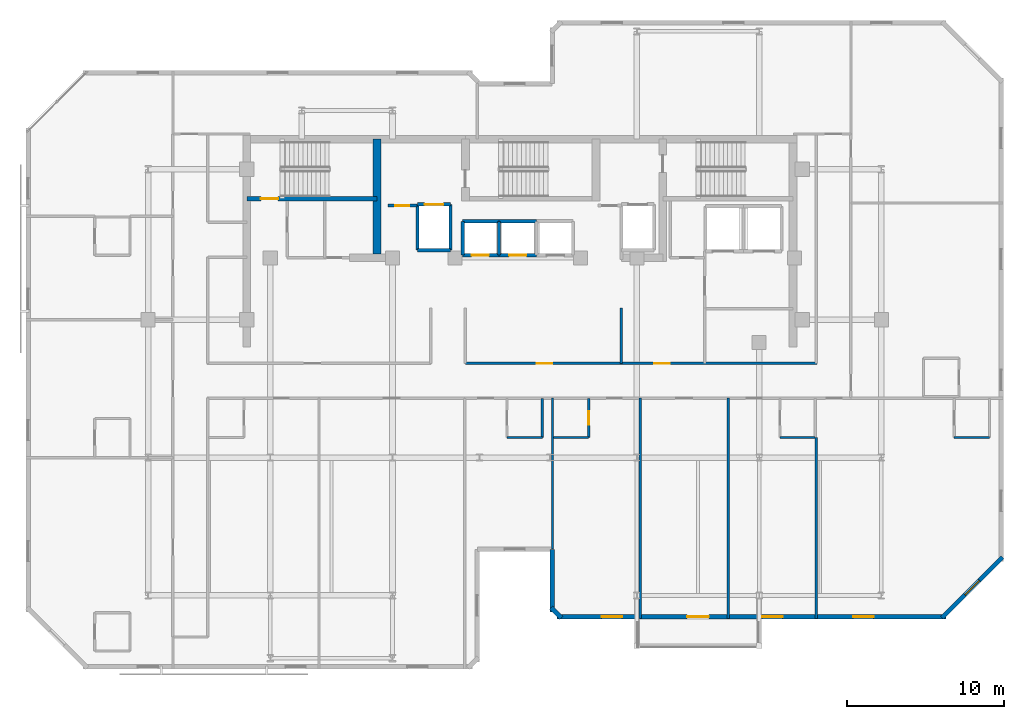
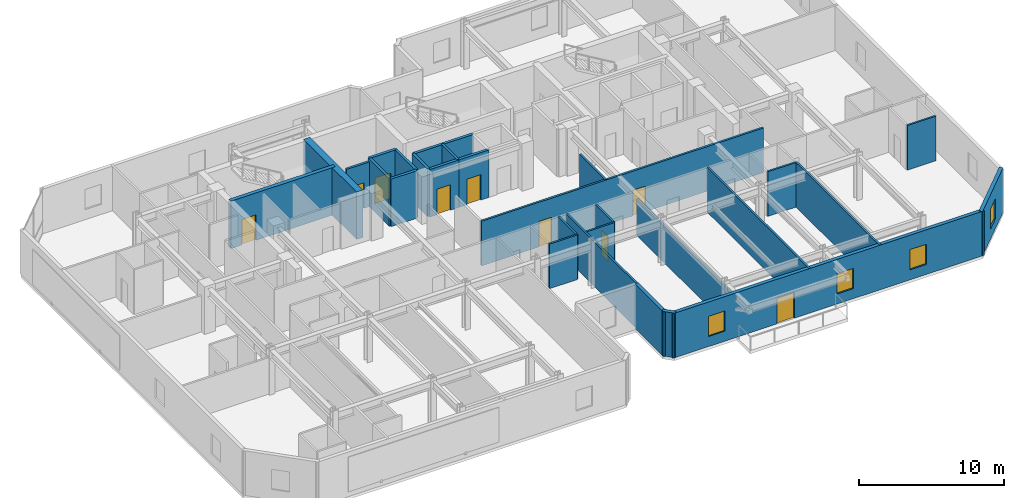
# One storey, part 5 of 10: 29 walls, 9 doors, 4 windows, 13 openings.
"""IFC4 building model written with IfcOpenShell, lengths in metres."""

from ifc_helpers import new_model, si_unit, direction, frame, frame_2d, origin, place, context, subcontext, project, spatial, rectangle, extrude, material, layer, layer_set, type_object, element, fill, save


model = new_model("IFC4")

# Units and contexts
model_context = context("Model", 3, precision=1e-05, world=origin(), true_north=direction((0.0, 1.0)))
body_context = subcontext(model_context, "Body", "Model", "MODEL_VIEW")
ifc_project = project(units=[si_unit("LENGTHUNIT", "METRE"), si_unit("AREAUNIT", "SQUARE_METRE"), si_unit("VOLUMEUNIT", "CUBIC_METRE"), si_unit("PLANEANGLEUNIT", "RADIAN"), si_unit("MASSUNIT", "GRAM", prefix="KILO")], contexts=[model_context])

# Site, building, storey
site_placement = place(None, origin())
site = spatial("IfcSite", under=ifc_project, at=site_placement, CompositionType="ELEMENT")
building_placement = place(site_placement, origin())
building = spatial("IfcBuilding", under=site, at=building_placement, Name="Kestravale Grand Hotel", CompositionType="ELEMENT")
storey_placement = place(building_placement, frame((0.0, 0.0, 285.39990234375)))
storey = spatial("IfcBuildingStorey", under=building, at=storey_placement, Name="L71", CompositionType="ELEMENT", Elevation=285.39990234375)

# Walls
ifc_material_1 = material(Name="Concrete f'c 50 MPa", Category="concrete")
ifc_layer_1 = layer(ifc_material_1, 0.5)
ifc_layer_set_1 = layer_set([ifc_layer_1], Name="EW-CORE-500")
wall_type_1 = type_object("IfcWallType", Name="EW-CORE-500", PredefinedType="SHEAR", material=ifc_layer_set_1)
wall_1_placement = place(storey_placement, frame((30.219970703125, 33.0, 0.0), z_axis=(0.0, 0.0, 1.0), x_axis=(0.0, 1.0, 0.0)))
element("IfcWall", 1, at=wall_1_placement, inside=storey, type_object=wall_type_1, Name="L71 core shear wall X1", PredefinedType="SHEAR", context=body_context, shape_type="SweptSolid", body=[
    extrude(rectangle(XDim=7.320068359375, YDim=0.5, at=frame_2d((3.66015625, 0.0))), origin(), (0.0, 0.0, 1.0), 4.0),
])
ifc_material_2 = material(Name="Precast concrete f'c 45 MPa", Category="concrete")
ifc_layer_2 = layer(ifc_material_2, 0.280029296875)
ifc_layer_set_2 = layer_set([ifc_layer_2], Name="EW-PREC-280")
wall_type_2 = type_object("IfcWallType", Name="EW-PREC-280", PredefinedType="SOLIDWALL", material=ifc_layer_set_2)
wall_2_placement = place(storey_placement, frame((41.389892578125, 14.139892578125, 0.0), z_axis=(0.0, 0.0, 1.0), x_axis=(0.0, -1.0, 0.0)))
element("IfcWall", 2, at=wall_2_placement, inside=storey, type_object=wall_type_2, Name="L71 fluted precast facade wall 5", PredefinedType="SOLIDWALL", context=body_context, shape_type="SweptSolid", body=[
    extrude(rectangle(XDim=3.97998046875, YDim=0.280029296875, at=frame_2d((1.989990234375, 0.0))), origin(), (0.0, 0.0, 1.0), 3.760009765625),
])
wall_3_placement = place(storey_placement, frame((41.32080078125, 10.42724609375, 0.0), z_axis=(0.0, 0.0, 1.0), x_axis=(0.707106781187, -0.707106781187, 0.0)))
element("IfcWall", 3, at=wall_3_placement, inside=storey, type_object=wall_type_2, Name="L71 fluted precast facade wall 6", PredefinedType="SOLIDWALL", context=body_context, shape_type="SweptSolid", body=[
    extrude(rectangle(XDim=0.928466796875, YDim=0.280029296875, at=frame_2d((0.46435546875, 0.0))), origin(), (0.0, 0.0, 1.0), 3.760009765625),
])

# Wall, openings, door, windows
wall_4_placement = place(storey_placement, frame((41.7099609375, 9.840087890625, 0.0), z_axis=(0.0, 0.0, 1.0), x_axis=(1.0, 0.0, 0.0)))
wall_4 = element("IfcWall", 4, at=wall_4_placement, inside=storey, type_object=wall_type_2, Name="L71 fluted precast facade wall 7", PredefinedType="SOLIDWALL", context=body_context, shape_type="SweptSolid", body=[
    extrude(rectangle(XDim=24.830078125, YDim=0.280029296875, at=frame_2d((12.4150390625, 0.0))), origin(), (0.0, 0.0, 1.0), 3.760009765625),
])
opening_1_placement = place(wall_4_placement, frame((8.2900390625, 0.0, 0.0)))
opening_1 = element("IfcOpeningElement", 5, at=opening_1_placement, cuts=wall_4, Name="Opening D-TERR-1400", PredefinedType="OPENING", context=body_context, shape_type="SweptSolid", body=[
    extrude(rectangle(XDim=1.39990234375, YDim=2.14990234375, at=frame_2d((0.699951171875, 1.074951171875))), frame((0.0, 0.14990234375, 0.0), z_axis=(0.0, -1.0, 0.0), x_axis=(1.0, 0.0, 0.0)), (0.0, 0.0, 1.0), 0.300048828125),
])
opening_2_placement = place(wall_4_placement, frame((2.83837890625, 0.0, 0.85009765625)))
opening_2 = element("IfcOpeningElement", 6, at=opening_2_placement, cuts=wall_4, Name="Opening W-GUEST-1300", PredefinedType="OPENING", context=body_context, shape_type="SweptSolid", body=[
    extrude(rectangle(XDim=1.300048828125, YDim=1.699951171875, at=frame_2d((0.64990234375, 0.85009765625))), frame((0.0, 0.14990234375, 0.0), z_axis=(0.0, -1.0, 0.0), x_axis=(1.0, 0.0, 0.0)), (0.0, 0.0, 1.0), 0.300048828125),
])
opening_3_placement = place(wall_4_placement, frame((18.8916015625, 0.0, 0.85009765625)))
opening_3 = element("IfcOpeningElement", 7, at=opening_3_placement, cuts=wall_4, Name="Opening W-GUEST-1300", PredefinedType="OPENING", context=body_context, shape_type="SweptSolid", body=[
    extrude(rectangle(XDim=1.300048828125, YDim=1.699951171875, at=frame_2d((0.64990234375, 0.85009765625))), frame((0.0, 0.14990234375, 0.0), z_axis=(0.0, -1.0, 0.0), x_axis=(1.0, 0.0, 0.0)), (0.0, 0.0, 1.0), 0.300048828125),
])
opening_4_placement = place(wall_4_placement, frame((13.0849609375, 0.0, 0.85009765625)))
opening_4 = element("IfcOpeningElement", 8, at=opening_4_placement, cuts=wall_4, Name="Opening W-GUEST-1300", PredefinedType="OPENING", context=body_context, shape_type="SweptSolid", body=[
    extrude(rectangle(XDim=1.300048828125, YDim=1.699951171875, at=frame_2d((0.64990234375, 0.85009765625))), frame((0.0, 0.14990234375, 0.0), z_axis=(0.0, -1.0, 0.0), x_axis=(1.0, 0.0, 0.0)), (0.0, 0.0, 1.0), 0.300048828125),
])
ifc_material_3 = material(Name="Insulated glazed champagne-bronze aluminium door", Category="aluminium")
door_type_1 = type_object("IfcDoorType", Name="D-TERR-1400", OperationType="NOTDEFINED", PredefinedType="DOOR", material=ifc_material_3)
door_1_placement = place(opening_1_placement, origin())
door_1 = element("IfcDoor", 9, at=door_1_placement, inside=storey, type_object=door_type_1, Name="L71 outdoor garden terrace door", OperationType="DOUBLE_DOOR_SINGLE_SWING", OverallHeight=2.14990234375, OverallWidth=1.39990234375, PredefinedType="DOOR", context=body_context, shape_type="SweptSolid", body=[
    extrude(rectangle(XDim=1.39990234375, YDim=2.14990234375, at=frame_2d((0.699951171875, 1.074951171875))), frame((0.0, 0.02490234375, 0.0), z_axis=(0.0, -1.0, 0.0), x_axis=(1.0, 0.0, 0.0)), (0.0, 0.0, 1.0), 0.050048828125),
])
fill(opening_1, door_1)
ifc_material_4 = material(Name="Insulated low-E double glazing in aluminium frame", Category="aluminium")
window_type = type_object("IfcWindowType", Name="W-GUEST-1300", PartitioningType="SINGLE_PANEL", PredefinedType="WINDOW", material=ifc_material_4)
window_1_placement = place(opening_2_placement, origin())
window_1 = element("IfcWindow", 10, at=window_1_placement, inside=storey, type_object=window_type, Name="L71 exterior window 7.1", OverallHeight=1.699951171875, OverallWidth=1.300048828125, PartitioningType="SINGLE_PANEL", PredefinedType="WINDOW", context=body_context, shape_type="SweptSolid", body=[
    extrude(rectangle(XDim=1.300048828125, YDim=1.699951171875, at=frame_2d((0.64990234375, 0.85009765625))), frame((0.0, 0.030029296875, 0.0), z_axis=(0.0, -1.0, 0.0), x_axis=(1.0, 0.0, 0.0)), (0.0, 0.0, 1.0), 0.06005859375),
])
fill(opening_2, window_1)
window_2_placement = place(opening_3_placement, origin())
window_2 = element("IfcWindow", 11, at=window_2_placement, inside=storey, type_object=window_type, Name="L71 exterior window 7.2", OverallHeight=1.699951171875, OverallWidth=1.300048828125, PartitioningType="SINGLE_PANEL", PredefinedType="WINDOW", context=body_context, shape_type="SweptSolid", body=[
    extrude(rectangle(XDim=1.300048828125, YDim=1.699951171875, at=frame_2d((0.64990234375, 0.85009765625))), frame((0.0, 0.030029296875, 0.0), z_axis=(0.0, -1.0, 0.0), x_axis=(1.0, 0.0, 0.0)), (0.0, 0.0, 1.0), 0.06005859375),
])
fill(opening_3, window_2)
window_3_placement = place(opening_4_placement, origin())
window_3 = element("IfcWindow", 12, at=window_3_placement, inside=storey, type_object=window_type, Name="L71 guestroom envelope window 1", OverallHeight=1.699951171875, OverallWidth=1.300048828125, PartitioningType="SINGLE_PANEL", PredefinedType="WINDOW", context=body_context, shape_type="SweptSolid", body=[
    extrude(rectangle(XDim=1.300048828125, YDim=1.699951171875, at=frame_2d((0.64990234375, 0.85009765625))), frame((0.0, 0.030029296875, 0.0), z_axis=(0.0, -1.0, 0.0), x_axis=(1.0, 0.0, 0.0)), (0.0, 0.0, 1.0), 0.06005859375),
])
fill(opening_4, window_3)

# Wall, opening, window
wall_5_placement = place(storey_placement, frame((66.272705078125, 9.770751953125, 0.0), z_axis=(0.0, 0.0, 1.0), x_axis=(0.707129162587, 0.707084399077, 0.0)))
wall_5 = element("IfcWall", 13, at=wall_5_placement, inside=storey, type_object=wall_type_2, Name="L71 fluted precast facade wall 8", PredefinedType="SOLIDWALL", context=body_context, shape_type="SweptSolid", body=[
    extrude(rectangle(XDim=5.4541015625, YDim=0.280029296875, at=frame_2d((2.72705078125, 0.0))), origin(), (0.0, 0.0, 1.0), 3.760009765625),
])
opening_5_placement = place(wall_5_placement, frame((2.076904296875, 0.0, 0.85009765625)))
opening_5 = element("IfcOpeningElement", 14, at=opening_5_placement, cuts=wall_5, Name="Opening W-GUEST-1300", PredefinedType="OPENING", context=body_context, shape_type="SweptSolid", body=[
    extrude(rectangle(XDim=1.300048828125, YDim=1.699951171875, at=frame_2d((0.64990234375, 0.85009765625))), frame((0.0, 0.14990234375, 0.0), z_axis=(0.0, -1.0, 0.0), x_axis=(1.0, 0.0, 0.0)), (0.0, 0.0, 1.0), 0.300048828125),
])
window_4_placement = place(opening_5_placement, origin())
window_4 = element("IfcWindow", 15, at=window_4_placement, inside=storey, type_object=window_type, Name="L71 exterior window 8.1", OverallHeight=1.699951171875, OverallWidth=1.300048828125, PartitioningType="SINGLE_PANEL", PredefinedType="WINDOW", context=body_context, shape_type="SweptSolid", body=[
    extrude(rectangle(XDim=1.300048828125, YDim=1.699951171875, at=frame_2d((0.64990234375, 0.85009765625))), frame((0.0, 0.030029296875, 0.0), z_axis=(0.0, -1.0, 0.0), x_axis=(1.0, 0.0, 0.0)), (0.0, 0.0, 1.0), 0.06005859375),
])
fill(opening_5, window_4)

# Wall, opening, door
ifc_material_5 = material(Name="Concrete f'c 45 MPa", Category="concrete")
ifc_layer_3 = layer(ifc_material_5, 0.300048828125)
ifc_layer_set_3 = layer_set([ifc_layer_3], Name="EW-STAIR-300")
wall_type_3 = type_object("IfcWallType", Name="EW-STAIR-300", PredefinedType="SHEAR", material=ifc_layer_set_3)
wall_6_placement = place(storey_placement, frame((21.89990234375, 36.52001953125, 0.0), z_axis=(0.0, 0.0, 1.0), x_axis=(1.0, 0.0, 0.0)))
wall_6 = element("IfcWall", 16, at=wall_6_placement, inside=storey, type_object=wall_type_3, Name="L71 stair enclosure shear wall SST1", PredefinedType="SHEAR", context=body_context, shape_type="SweptSolid", body=[
    extrude(rectangle(XDim=8.320068359375, YDim=0.300048828125, at=frame_2d((4.16015625, 0.0))), origin(), (0.0, 0.0, 1.0), 4.0),
])
opening_6_placement = place(wall_6_placement, frame((0.89990234375, 0.0, 0.0)))
opening_6 = element("IfcOpeningElement", 17, at=opening_6_placement, cuts=wall_6, Name="Opening D-ST-1100", PredefinedType="OPENING", context=body_context, shape_type="SweptSolid", body=[
    extrude(rectangle(XDim=1.10009765625, YDim=2.14990234375, at=frame_2d((0.550048828125, 1.074951171875))), frame((0.0, 0.159912109375, 0.0), z_axis=(0.0, -1.0, 0.0), x_axis=(1.0, 0.0, 0.0)), (0.0, 0.0, 1.0), 0.320068359375),
])
ifc_material_6 = material(Name="Galvanised 90-minute fire-rated steel stair door", Category="steel")
door_type_2 = type_object("IfcDoorType", Name="D-ST-1100", OperationType="NOTDEFINED", PredefinedType="DOOR", material=ifc_material_6)
door_2_placement = place(opening_6_placement, origin())
door_2 = element("IfcDoor", 18, at=door_2_placement, inside=storey, type_object=door_type_2, Name="L71 Stair ST-1 fire door", OperationType="SINGLE_SWING_RIGHT", OverallHeight=2.14990234375, OverallWidth=1.10009765625, PredefinedType="DOOR", context=body_context, shape_type="SweptSolid", body=[
    extrude(rectangle(XDim=1.10009765625, YDim=2.14990234375, at=frame_2d((0.550048828125, 1.074951171875))), frame((0.0, 0.02490234375, 0.0), z_axis=(0.0, -1.0, 0.0), x_axis=(1.0, 0.0, 0.0)), (0.0, 0.0, 1.0), 0.050048828125),
])
fill(opening_6, door_2)

# Wall, openings, doors
ifc_material_7 = material(Name="Acoustic fire-rated gypsum board partition", Category="other")
ifc_layer_4 = layer(ifc_material_7, 0.159912109375)
ifc_layer_set_4 = layer_set([ifc_layer_4], Name="IW-CORR-160")
wall_type_4 = type_object("IfcWallType", Name="IW-CORR-160", PredefinedType="PARTITIONING", material=ifc_layer_set_4)
wall_7_placement = place(storey_placement, frame((35.85009765625, 26.010009765625, 0.0), z_axis=(0.0, 0.0, 1.0), x_axis=(1.0, 0.0, 0.0)))
wall_7 = element("IfcWall", 19, at=wall_7_placement, inside=storey, type_object=wall_type_4, Name="W-L71-CE-N", PredefinedType="PARTITIONING", context=body_context, shape_type="SweptSolid", body=[
    extrude(rectangle(XDim=22.449951171875, YDim=0.159912109375, at=frame_2d((11.22509765625, 0.0))), origin(), (0.0, 0.0, 1.0), 3.760009765625),
])
opening_7_placement = place(wall_7_placement, frame((4.550048828125, 0.0, 0.0)))
opening_7 = element("IfcOpeningElement", 20, at=opening_7_placement, cuts=wall_7, Name="Opening D-GUEST-1000", PredefinedType="OPENING", context=body_context, shape_type="SweptSolid", body=[
    extrude(rectangle(XDim=1.0, YDim=2.14990234375, at=frame_2d((0.5, 1.074951171875))), frame((0.0, 0.08984375, 0.0), z_axis=(0.0, -1.0, 0.0), x_axis=(1.0, 0.0, 0.0)), (0.0, 0.0, 1.0), 0.179931640625),
])
opening_8_placement = place(wall_7_placement, frame((12.050048828125, 0.0, 0.0)))
opening_8 = element("IfcOpeningElement", 21, at=opening_8_placement, cuts=wall_7, Name="Opening D-GUEST-1000", PredefinedType="OPENING", context=body_context, shape_type="SweptSolid", body=[
    extrude(rectangle(XDim=1.0, YDim=2.14990234375, at=frame_2d((0.5, 1.074951171875))), frame((0.0, 0.08984375, 0.0), z_axis=(0.0, -1.0, 0.0), x_axis=(1.0, 0.0, 0.0)), (0.0, 0.0, 1.0), 0.179931640625),
])
ifc_material_8 = material(Name="Accessible walnut veneer hotel entrance fire door", Category="wood")
door_type_3 = type_object("IfcDoorType", Name="D-GUEST-1000", OperationType="NOTDEFINED", PredefinedType="DOOR", material=ifc_material_8)
door_3_placement = place(opening_7_placement, origin())
door_3 = element("IfcDoor", 22, at=door_3_placement, inside=storey, type_object=door_type_3, Name="D-L71-RECL-E1", OperationType="SINGLE_SWING_RIGHT", OverallHeight=2.14990234375, OverallWidth=1.0, PredefinedType="DOOR", context=body_context, shape_type="SweptSolid", body=[
    extrude(rectangle(XDim=1.0, YDim=2.14990234375, at=frame_2d((0.5, 1.074951171875))), frame((0.0, 0.02490234375, 0.0), z_axis=(0.0, -1.0, 0.0), x_axis=(1.0, 0.0, 0.0)), (0.0, 0.0, 1.0), 0.050048828125),
])
fill(opening_7, door_3)
door_4_placement = place(opening_8_placement, origin())
door_4 = element("IfcDoor", 23, at=door_4_placement, inside=storey, type_object=door_type_3, Name="D-L71-RECL-E2", OperationType="SINGLE_SWING_LEFT", OverallHeight=2.14990234375, OverallWidth=1.0, PredefinedType="DOOR", context=body_context, shape_type="SweptSolid", body=[
    extrude(rectangle(XDim=1.0, YDim=2.14990234375, at=frame_2d((0.5, 1.074951171875))), frame((0.0, 0.02490234375, 0.0), z_axis=(0.0, -1.0, 0.0), x_axis=(1.0, 0.0, 0.0)), (0.0, 0.0, 1.0), 0.050048828125),
])
fill(opening_8, door_4)

# Wall, opening, door
ifc_material_9 = material(Name="Fire-rated gypsum board on steel studs with mineral wool", Category="steel")
ifc_layer_5 = layer(ifc_material_9, 0.179931640625)
ifc_layer_set_5 = layer_set([ifc_layer_5], Name="IW-FSAE-180")
wall_type_5 = type_object("IfcWallType", Name="IW-FSAE-180", PredefinedType="PARTITIONING", material=ifc_layer_set_5)
wall_8_placement = place(storey_placement, frame((30.89990234375, 36.080078125, 0.0), z_axis=(0.0, 0.0, 1.0), x_axis=(1.0, 0.0, 0.0)))
wall_8 = element("IfcWall", 24, at=wall_8_placement, inside=storey, type_object=wall_type_5, Name="L71 FSAE Lobby 1 smoke barrier", PredefinedType="PARTITIONING", context=body_context, shape_type="SweptSolid", body=[
    extrude(rectangle(XDim=1.85009765625, YDim=0.179931640625, at=frame_2d((0.925048828125, 0.0))), origin(), (0.0, 0.0, 1.0), 3.760009765625),
])
opening_9_placement = place(wall_8_placement, frame((0.47998046875, 0.0, 0.0)))
opening_9 = element("IfcOpeningElement", 25, at=opening_9_placement, cuts=wall_8, Name="Opening D-FSAE-1000", PredefinedType="OPENING", context=body_context, shape_type="SweptSolid", body=[
    extrude(rectangle(XDim=0.89990234375, YDim=2.14990234375, at=frame_2d((0.449951171875, 1.074951171875))), frame((0.0, 0.099853515625, 0.0), z_axis=(0.0, -1.0, 0.0), x_axis=(1.0, 0.0, 0.0)), (0.0, 0.0, 1.0), 0.199951171875),
])
ifc_material_10 = material(Name="Smoke-gasketed FSAE lobby fire door", Category="steel")
door_type_4 = type_object("IfcDoorType", Name="D-FSAE-1000", OperationType="NOTDEFINED", PredefinedType="DOOR", material=ifc_material_10)
door_5_placement = place(opening_9_placement, origin())
door_5 = element("IfcDoor", 26, at=door_5_placement, inside=storey, type_object=door_type_4, Name="L71 FSAE Lobby 1 fire door", OperationType="SINGLE_SWING_RIGHT", OverallHeight=2.14990234375, OverallWidth=0.89990234375, PredefinedType="DOOR", context=body_context, shape_type="SweptSolid", body=[
    extrude(rectangle(XDim=0.89990234375, YDim=2.14990234375, at=frame_2d((0.449951171875, 1.074951171875))), frame((0.0, 0.02490234375, 0.0), z_axis=(0.0, -1.0, 0.0), x_axis=(1.0, 0.0, 0.0)), (0.0, 0.0, 1.0), 0.050048828125),
])
fill(opening_9, door_5)

# Walls
ifc_material_11 = material(Name="Moisture-resistant tile-backer plumbing chase wall", Category="other")
ifc_layer_6 = layer(ifc_material_11, 0.139892578125)
ifc_layer_set_6 = layer_set([ifc_layer_6], Name="IW-PLB-140")
wall_type_6 = type_object("IfcWallType", Name="IW-PLB-140", PredefinedType="PLUMBINGWALL", material=ifc_layer_set_6)
wall_9_placement = place(storey_placement, frame((40.760009765625, 21.280029296875, 0.0), z_axis=(0.0, 0.0, 1.0), x_axis=(0.0, 1.0, 0.0)))
element("IfcWall", 27, at=wall_9_placement, inside=storey, type_object=wall_type_6, Name="W-L71-U02-BE", PredefinedType="PLUMBINGWALL", context=body_context, shape_type="SweptSolid", body=[
    extrude(rectangle(XDim=2.489990234375, YDim=0.139892578125, at=frame_2d((1.2451171875, 0.0))), origin(), (0.0, 0.0, 1.0), 3.760009765625),
])
wall_10_placement = place(storey_placement, frame((38.510009765625, 21.280029296875, 0.0), z_axis=(0.0, 0.0, 1.0), x_axis=(1.0, 0.0, 0.0)))
element("IfcWall", 28, at=wall_10_placement, inside=storey, type_object=wall_type_6, Name="W-L71-U02-BS", PredefinedType="PLUMBINGWALL", context=body_context, shape_type="SweptSolid", body=[
    extrude(rectangle(XDim=2.25, YDim=0.139892578125, at=frame_2d((1.125, 0.0))), origin(), (0.0, 0.0, 1.0), 3.760009765625),
])

# Wall, opening, door
wall_11_placement = place(storey_placement, frame((43.719970703125, 21.280029296875, 0.0), z_axis=(0.0, 0.0, 1.0), x_axis=(0.0, 1.0, 0.0)))
wall_11 = element("IfcWall", 29, at=wall_11_placement, inside=storey, type_object=wall_type_6, Name="W-L71-U03-BE", PredefinedType="PLUMBINGWALL", context=body_context, shape_type="SweptSolid", body=[
    extrude(rectangle(XDim=2.489990234375, YDim=0.139892578125, at=frame_2d((1.2451171875, 0.0))), origin(), (0.0, 0.0, 1.0), 3.760009765625),
])
opening_10_placement = place(wall_11_placement, frame((0.804931640625, 0.0, 0.0)))
opening_10 = element("IfcOpeningElement", 30, at=opening_10_placement, cuts=wall_11, Name="Opening D-BATH-880", PredefinedType="OPENING", context=body_context, shape_type="SweptSolid", body=[
    extrude(rectangle(XDim=0.8798828125, YDim=2.050048828125, at=frame_2d((0.43994140625, 1.02490234375))), frame((0.0, 0.079833984375, 0.0), z_axis=(0.0, -1.0, 0.0), x_axis=(1.0, 0.0, 0.0)), (0.0, 0.0, 1.0), 0.159912109375),
])
ifc_material_12 = material(Name="Moisture-sealed walnut en-suite bathroom door", Category="wood")
door_type_5 = type_object("IfcDoorType", Name="D-BATH-880", OperationType="NOTDEFINED", PredefinedType="DOOR", material=ifc_material_12)
door_6_placement = place(opening_10_placement, origin())
door_6 = element("IfcDoor", 31, at=door_6_placement, inside=storey, type_object=door_type_5, Name="D-L71-U03-BATH", OperationType="SINGLE_SWING_LEFT", OverallHeight=2.050048828125, OverallWidth=0.8798828125, PredefinedType="DOOR", context=body_context, shape_type="SweptSolid", body=[
    extrude(rectangle(XDim=0.8798828125, YDim=2.050048828125, at=frame_2d((0.43994140625, 1.02490234375))), frame((0.0, 0.02490234375, 0.0), z_axis=(0.0, -1.0, 0.0), x_axis=(1.0, 0.0, 0.0)), (0.0, 0.0, 1.0), 0.050048828125),
])
fill(opening_10, door_6)

# Walls
for number, where, z_axis, x_axis, name in (
    (32, (41.469970703125, 21.280029296875, 0.0), (0.0, 0.0, 1.0), (1.0, 0.0, 0.0), "W-L71-U03-BS"),
    (33, (55.929931640625, 21.280029296875, 0.0), (0.0, 0.0, 1.0), (1.0, 0.0, 0.0), "W-L71-U04-BS"),
    (34, (67.050048828125, 21.280029296875, 0.0), (0.0, 0.0, 1.0), (1.0, 0.0, 0.0), "W-L71-U08-BS"),
):
    element("IfcWall", number, at=place(storey_placement, frame(where, z_axis=z_axis, x_axis=x_axis)), inside=storey, type_object=wall_type_6, Name=name, PredefinedType="PLUMBINGWALL", context=body_context, shape_type="SweptSolid", body=[
        extrude(rectangle(XDim=2.25, YDim=0.139892578125, at=frame_2d((1.125, 0.0))), origin(), (0.0, 0.0, 1.0), 3.760009765625),
    ])
ifc_material_13 = material(Name="Concrete f'c 45 MPa", Category="concrete")
ifc_layer_7 = layer(ifc_material_13, 0.199951171875)
ifc_layer_set_7 = layer_set([ifc_layer_7], Name="IW-SHAFT-200")
wall_type_7 = type_object("IfcWallType", Name="IW-SHAFT-200", PredefinedType="SHEAR", material=ifc_layer_set_7)
for number, where, z_axis, x_axis, name in (
    (35, (35.679931640625, 32.919921875, 0.0), (0.0, 0.0, 1.0), (0.0, 1.0, 0.0), "L71 PL-X1 west shaft wall"),
    (36, (38.0, 32.919921875, 0.0), (0.0, 0.0, 1.0), (0.0, 1.0, 0.0), "L71 PL-X2 west shaft wall"),
):
    element("IfcWall", number, at=place(storey_placement, frame(where, z_axis=z_axis, x_axis=x_axis)), inside=storey, type_object=wall_type_7, Name=name, PredefinedType="SHEAR", context=body_context, shape_type="SweptSolid", body=[
        extrude(rectangle(XDim=2.16015625, YDim=0.199951171875, at=frame_2d((1.080078125, 0.0))), origin(), (0.0, 0.0, 1.0), 4.0),
    ])
for number, where, z_axis, x_axis, name in (
    (37, (32.804931640625, 33.2451171875, 0.0), (0.0, 0.0, 1.0), (0.0, 1.0, 0.0), "L71 FL-1 west shaft wall"),
    (38, (34.89501953125, 33.2451171875, 0.0), (0.0, 0.0, 1.0), (0.0, 1.0, 0.0), "L71 FL-1 east shaft wall"),
):
    element("IfcWall", number, at=place(storey_placement, frame(where, z_axis=z_axis, x_axis=x_axis)), inside=storey, type_object=wall_type_7, Name=name, PredefinedType="SHEAR", context=body_context, shape_type="SweptSolid", body=[
        extrude(rectangle(XDim=2.909912109375, YDim=0.199951171875, at=frame_2d((1.455078125, 0.0))), origin(), (0.0, 0.0, 1.0), 4.0),
    ])
ifc_material_14 = material(Name="Concrete f'c 45 MPa", Category="concrete")
ifc_layer_8 = layer(ifc_material_14, 0.219970703125)
ifc_layer_set_8 = layer_set([ifc_layer_8], Name="IW-SHAFT-220")
wall_type_8 = type_object("IfcWallType", Name="IW-SHAFT-220", PredefinedType="SHEAR", material=ifc_layer_set_8)
wall_12_placement = place(storey_placement, frame((35.679931640625, 35.080078125, 0.0), z_axis=(0.0, 0.0, 1.0), x_axis=(1.0, 0.0, 0.0)))
element("IfcWall", 39, at=wall_12_placement, inside=storey, type_object=wall_type_8, Name="L71 PL-X1 north shaft wall", PredefinedType="SHEAR", context=body_context, shape_type="SweptSolid", body=[
    extrude(rectangle(XDim=2.320068359375, YDim=0.219970703125, at=frame_2d((1.16015625, 0.0))), origin(), (0.0, 0.0, 1.0), 4.0),
])

# Wall, opening, door
wall_13_placement = place(storey_placement, frame((35.679931640625, 32.919921875, 0.0), z_axis=(0.0, 0.0, 1.0), x_axis=(1.0, 0.0, 0.0)))
wall_13 = element("IfcWall", 40, at=wall_13_placement, inside=storey, type_object=wall_type_8, Name="L71 PL-X1 south shaft wall", PredefinedType="SHEAR", context=body_context, shape_type="SweptSolid", body=[
    extrude(rectangle(XDim=2.320068359375, YDim=0.219970703125, at=frame_2d((1.16015625, 0.0))), origin(), (0.0, 0.0, 1.0), 4.0),
])
opening_11_placement = place(wall_13_placement, frame((0.570068359375, 0.0, 0.0)))
opening_11 = element("IfcOpeningElement", 41, at=opening_11_placement, cuts=wall_13, Name="Opening LD-PAX-1100", PredefinedType="OPENING", context=body_context, shape_type="SweptSolid", body=[
    extrude(rectangle(XDim=1.10009765625, YDim=2.14990234375, at=frame_2d((0.550048828125, 1.074951171875))), frame((0.0, 0.119873046875, 0.0), z_axis=(0.0, -1.0, 0.0), x_axis=(1.0, 0.0, 0.0)), (0.0, 0.0, 1.0), 0.239990234375),
])
ifc_material_15 = material(Name="Champagne-bronze center-opening sliding elevator landing door", Category="steel")
door_type_6 = type_object("IfcDoorType", Name="LD-PAX-1100", OperationType="NOTDEFINED", PredefinedType="DOOR", material=ifc_material_15)
door_7_placement = place(opening_11_placement, origin())
door_7 = element("IfcDoor", 42, at=door_7_placement, inside=storey, type_object=door_type_6, Name="L71 PL-X1 elevator landing sliding door", OperationType="DOUBLE_DOOR_SLIDING", OverallHeight=2.14990234375, OverallWidth=1.10009765625, PredefinedType="DOOR", context=body_context, shape_type="SweptSolid", body=[
    extrude(rectangle(XDim=1.10009765625, YDim=2.14990234375, at=frame_2d((0.550048828125, 1.074951171875))), frame((0.0, 0.02490234375, 0.0), z_axis=(0.0, -1.0, 0.0), x_axis=(1.0, 0.0, 0.0)), (0.0, 0.0, 1.0), 0.050048828125),
])
fill(opening_11, door_7)

# Wall
wall_14_placement = place(storey_placement, frame((38.0, 35.080078125, 0.0), z_axis=(0.0, 0.0, 1.0), x_axis=(1.0, 0.0, 0.0)))
element("IfcWall", 43, at=wall_14_placement, inside=storey, type_object=wall_type_8, Name="L71 PL-X2 north shaft wall", PredefinedType="SHEAR", context=body_context, shape_type="SweptSolid", body=[
    extrude(rectangle(XDim=2.39990234375, YDim=0.219970703125, at=frame_2d((1.199951171875, 0.0))), origin(), (0.0, 0.0, 1.0), 4.0),
])

# Wall, opening, door
wall_15_placement = place(storey_placement, frame((38.0, 32.919921875, 0.0), z_axis=(0.0, 0.0, 1.0), x_axis=(1.0, 0.0, 0.0)))
wall_15 = element("IfcWall", 44, at=wall_15_placement, inside=storey, type_object=wall_type_8, Name="L71 PL-X2 south shaft wall", PredefinedType="SHEAR", context=body_context, shape_type="SweptSolid", body=[
    extrude(rectangle(XDim=2.39990234375, YDim=0.219970703125, at=frame_2d((1.199951171875, 0.0))), origin(), (0.0, 0.0, 1.0), 4.0),
])
opening_12_placement = place(wall_15_placement, frame((0.64990234375, 0.0, 0.0)))
opening_12 = element("IfcOpeningElement", 45, at=opening_12_placement, cuts=wall_15, Name="Opening LD-PAX-1100", PredefinedType="OPENING", context=body_context, shape_type="SweptSolid", body=[
    extrude(rectangle(XDim=1.10009765625, YDim=2.14990234375, at=frame_2d((0.550048828125, 1.074951171875))), frame((0.0, 0.119873046875, 0.0), z_axis=(0.0, -1.0, 0.0), x_axis=(1.0, 0.0, 0.0)), (0.0, 0.0, 1.0), 0.239990234375),
])
door_8_placement = place(opening_12_placement, origin())
door_8 = element("IfcDoor", 46, at=door_8_placement, inside=storey, type_object=door_type_6, Name="L71 PL-X2 elevator landing sliding door", OperationType="DOUBLE_DOOR_SLIDING", OverallHeight=2.14990234375, OverallWidth=1.10009765625, PredefinedType="DOOR", context=body_context, shape_type="SweptSolid", body=[
    extrude(rectangle(XDim=1.10009765625, YDim=2.14990234375, at=frame_2d((0.550048828125, 1.074951171875))), frame((0.0, 0.02490234375, 0.0), z_axis=(0.0, -1.0, 0.0), x_axis=(1.0, 0.0, 0.0)), (0.0, 0.0, 1.0), 0.050048828125),
])
fill(opening_12, door_8)

wall_16_placement = place(storey_placement, frame((32.804931640625, 36.155029296875, 0.0), z_axis=(0.0, 0.0, 1.0), x_axis=(1.0, 0.0, 0.0)))
wall_16 = element("IfcWall", 47, at=wall_16_placement, inside=storey, type_object=wall_type_8, Name="L71 FL-1 north shaft wall", PredefinedType="SHEAR", context=body_context, shape_type="SweptSolid", body=[
    extrude(rectangle(XDim=2.090087890625, YDim=0.219970703125, at=frame_2d((1.044921875, 0.0))), origin(), (0.0, 0.0, 1.0), 4.0),
])
opening_13_placement = place(wall_16_placement, frame((0.445068359375, 0.0, 0.0)))
opening_13 = element("IfcOpeningElement", 48, at=opening_13_placement, cuts=wall_16, Name="Opening LD-FSAE-1200", PredefinedType="OPENING", context=body_context, shape_type="SweptSolid", body=[
    extrude(rectangle(XDim=1.199951171875, YDim=2.14990234375, at=frame_2d((0.60009765625, 1.074951171875))), frame((0.0, 0.119873046875, 0.0), z_axis=(0.0, -1.0, 0.0), x_axis=(1.0, 0.0, 0.0)), (0.0, 0.0, 1.0), 0.239990234375),
])
ifc_material_16 = material(Name="Stainless fire-service sliding elevator landing door", Category="steel")
door_type_7 = type_object("IfcDoorType", Name="LD-FSAE-1200", OperationType="NOTDEFINED", PredefinedType="DOOR", material=ifc_material_16)
door_9_placement = place(opening_13_placement, origin())
door_9 = element("IfcDoor", 49, at=door_9_placement, inside=storey, type_object=door_type_7, Name="L71 FL-1 elevator landing sliding door", OperationType="DOUBLE_DOOR_SLIDING", OverallHeight=2.14990234375, OverallWidth=1.199951171875, PredefinedType="DOOR", context=body_context, shape_type="SweptSolid", body=[
    extrude(rectangle(XDim=1.199951171875, YDim=2.14990234375, at=frame_2d((0.60009765625, 1.074951171875))), frame((0.0, 0.02490234375, 0.0), z_axis=(0.0, -1.0, 0.0), x_axis=(1.0, 0.0, 0.0)), (0.0, 0.0, 1.0), 0.050048828125),
])
fill(opening_13, door_9)

# Walls
wall_17_placement = place(storey_placement, frame((32.804931640625, 33.2451171875, 0.0), z_axis=(0.0, 0.0, 1.0), x_axis=(1.0, 0.0, 0.0)))
element("IfcWall", 50, at=wall_17_placement, inside=storey, type_object=wall_type_8, Name="L71 FL-1 south shaft wall", PredefinedType="SHEAR", context=body_context, shape_type="SweptSolid", body=[
    extrude(rectangle(XDim=2.090087890625, YDim=0.219970703125, at=frame_2d((1.044921875, 0.0))), origin(), (0.0, 0.0, 1.0), 4.0),
])
ifc_material_17 = material(Name="Double-stud STC 52 acoustic demising partition", Category="other")
ifc_layer_9 = layer(ifc_material_17, 0.14990234375)
ifc_layer_set_9 = layer_set([ifc_layer_9], Name="IW-UNIT-150")
wall_type_9 = type_object("IfcWallType", Name="IW-UNIT-150", PredefinedType="PARTITIONING", material=ifc_layer_set_9)
wall_18_placement = place(storey_placement, frame((45.800048828125, 26.010009765625, 0.0), z_axis=(0.0, 0.0, 1.0), x_axis=(0.0, 1.0, 0.0)))
element("IfcWall", 51, at=wall_18_placement, inside=storey, type_object=wall_type_9, Name="W-L71-RCLE-M", PredefinedType="PARTITIONING", context=body_context, shape_type="SweptSolid", body=[
    extrude(rectangle(XDim=3.5400390625, YDim=0.14990234375, at=frame_2d((1.77001953125, 0.0))), origin(), (0.0, 0.0, 1.0), 3.760009765625),
])
wall_19_placement = place(storey_placement, frame((41.409912109375, 14.159912109375, 0.0), z_axis=(0.0, 0.0, 1.0), x_axis=(0.0, 1.0, 0.0)))
element("IfcWall", 52, at=wall_19_placement, inside=storey, type_object=wall_type_9, Name="W-L71-ES-1", PredefinedType="PARTITIONING", context=body_context, shape_type="SweptSolid", body=[
    extrude(rectangle(XDim=9.630126953125, YDim=0.14990234375, at=frame_2d((4.81494140625, 0.0))), origin(), (0.0, 0.0, 1.0), 3.760009765625),
])
wall_20_placement = place(storey_placement, frame((47.02001953125, 9.719970703125, 0.0), z_axis=(0.0, 0.0, 1.0), x_axis=(0.0, 1.0, 0.0)))
element("IfcWall", 53, at=wall_20_placement, inside=storey, type_object=wall_type_9, Name="W-L71-ES-2", PredefinedType="PARTITIONING", context=body_context, shape_type="SweptSolid", body=[
    extrude(rectangle(XDim=14.070068359375, YDim=0.14990234375, at=frame_2d((7.03515625, 0.0))), origin(), (0.0, 0.0, 1.0), 3.064208984375),
])
wall_21_placement = place(storey_placement, frame((52.6298828125, 9.719970703125, 0.0), z_axis=(0.0, 0.0, 1.0), x_axis=(0.0, 1.0, 0.0)))
element("IfcWall", 54, at=wall_21_placement, inside=storey, type_object=wall_type_9, Name="W-L71-ES-3", PredefinedType="PARTITIONING", context=body_context, shape_type="SweptSolid", body=[
    extrude(rectangle(XDim=14.070068359375, YDim=0.14990234375, at=frame_2d((7.03515625, 0.0))), origin(), (0.0, 0.0, 1.0), 3.760009765625),
])
wall_22_placement = place(storey_placement, frame((58.239990234375, 9.719970703125, 0.0), z_axis=(0.0, 0.0, 1.0), x_axis=(0.0, 1.0, 0.0)))
element("IfcWall", 55, at=wall_22_placement, inside=storey, type_object=wall_type_9, Name="W-L71-SEC-W", PredefinedType="PARTITIONING", context=body_context, shape_type="SweptSolid", body=[
    extrude(rectangle(XDim=11.56005859375, YDim=0.14990234375, at=frame_2d((5.780029296875, 0.0))), origin(), (0.0, 0.0, 1.0), 3.760009765625),
])

save(model, "model.ifc")
